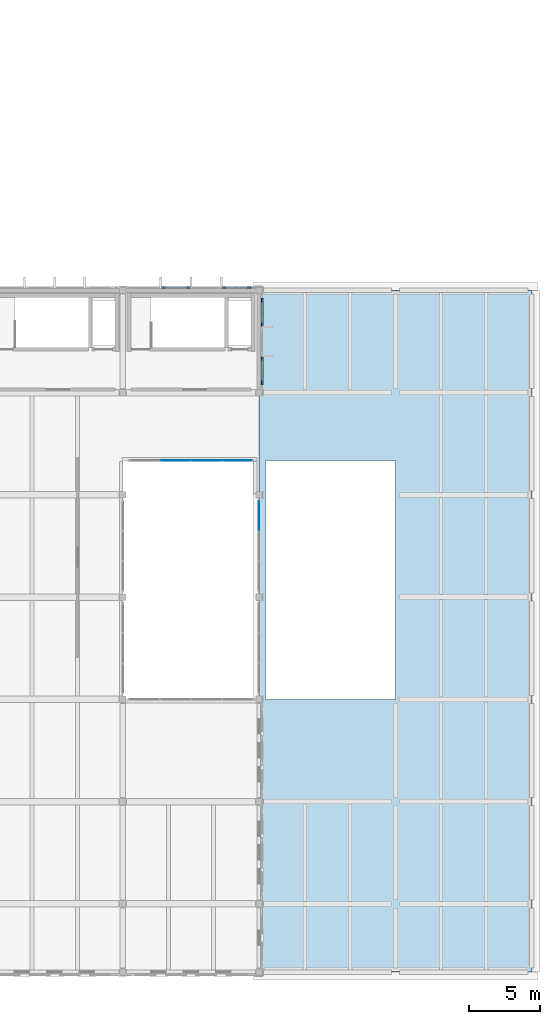
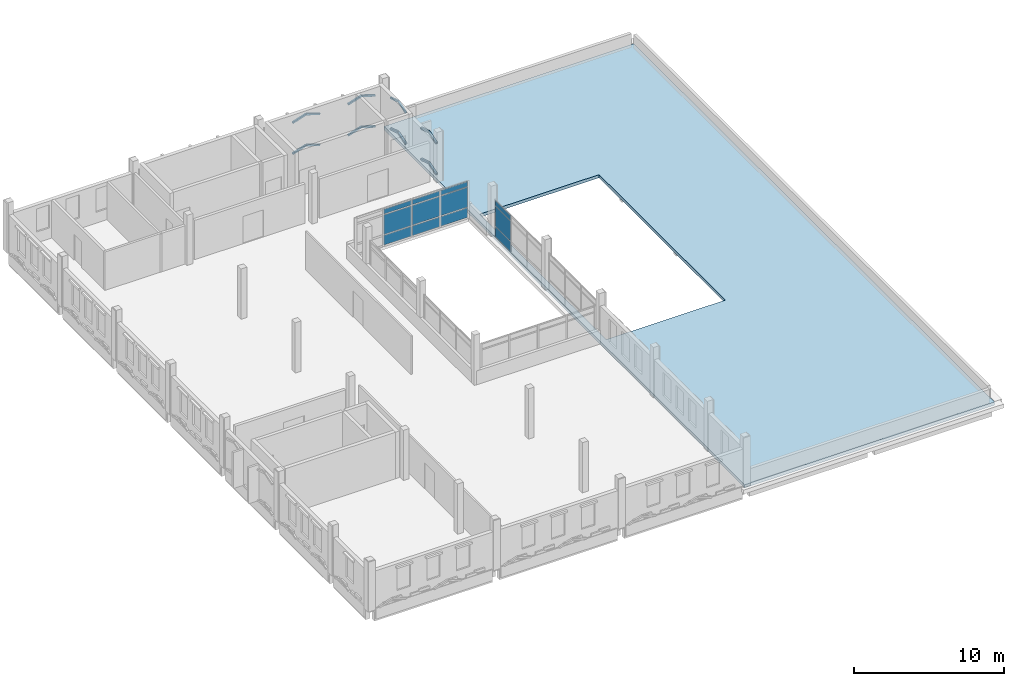
# One storey, part 33 of 50: 28 plates, 1 slab, 2 elements without a shape of their own.
"""IFC4 building model written with IfcOpenShell, lengths in metres."""

from ifc_helpers import new_model, si_unit, direction, frame, origin, origin_2d, place, context, subcontext, project, spatial, polyline, rectangle, hollow_rectangle, outline, extrude, material, layer, layer_set, material_profile, profile_set, type_object, element, aggregate, save


model = new_model("IFC4")

# Units and contexts
model_context = context("Model", 3, precision=1e-05, world=origin(), true_north=direction((0.0, 1.0)))
body_context = subcontext(model_context, "Body", "Model", "MODEL_VIEW")
ifc_project = project(units=[si_unit("LENGTHUNIT", "METRE"), si_unit("AREAUNIT", "SQUARE_METRE"), si_unit("VOLUMEUNIT", "CUBIC_METRE"), si_unit("PLANEANGLEUNIT", "RADIAN"), si_unit("MASSUNIT", "GRAM", prefix="KILO")], contexts=[model_context])

# Site, building, storey
site_placement = place(None, origin())
site = spatial("IfcSite", under=ifc_project, at=site_placement, CompositionType="ELEMENT")
building_placement = place(site_placement, origin())
building = spatial("IfcBuilding", under=site, at=building_placement, Name="Asteropetra Specialist Clinic", CompositionType="ELEMENT")
storey_placement = place(building_placement, frame((0.0, 0.0, 16.659912109375)))
storey = spatial("IfcBuildingStorey", under=building, at=storey_placement, Name="L04", CompositionType="ELEMENT", Elevation=16.659912109375)

# Plates
ifc_material_1 = material(Name="Chevron emerald aluminium 6063-T6", Category="aluminium")
ifc_material_profile = material_profile(ifc_material_1, hollow_rectangle(XDim=0.139892578125, YDim=0.139892578125, WallThickness=0.008056640625, InnerFilletRadius=0.008056640625, OuterFilletRadius=0.01611328125, at=origin_2d()), Name="SHS 140x140x8.0")
ifc_profile_set = profile_set([ifc_material_profile], Name="Chevron emerald aluminium 6063-T6")
plate_type_1 = type_object("IfcPlateType", Name="CHV-RIB-140", PredefinedType="SHEET", material=ifc_profile_set)
for number, where, z_axis, x_axis, name in (
    (1, (133.8349609375, 48.20947265625, 0.080078125), (-0.952035512318, 0.0, 0.305987554135), (0.0, -1.0, 0.0), "Chevron Facade Screen Fin CVR-3558"),
    (2, (132.791259765625, 48.20947265625, 0.41552734375), (-0.952035512318, 0.0, -0.305987554135), (0.0, -1.0, 0.0), "Chevron Facade Screen Fin CVR-3559"),
    (3, (133.8349609375, 48.20947265625, 2.60009765625), (-0.952035512318, 0.0, 0.305987554135), (0.0, -1.0, 0.0), "Chevron Facade Screen Fin CVR-3560"),
    (4, (132.791259765625, 48.20947265625, 2.935546875), (-0.952035512318, 0.0, -0.305987554135), (0.0, -1.0, 0.0), "Chevron Facade Screen Fin CVR-3561"),
):
    element("IfcPlate", number, at=place(storey_placement, frame(where, z_axis=z_axis, x_axis=x_axis)), inside=storey, type_object=plate_type_1, Name=name, PredefinedType="SHEET", context=body_context, shape_type="SweptSolid", body=[
        extrude(hollow_rectangle(XDim=0.139892578125, YDim=0.139892578125, WallThickness=0.008056640625, InnerFilletRadius=0.008056640625, OuterFilletRadius=0.01611328125, at=origin_2d()), origin(), (0.0, 0.0, 1.0), 1.09619140625),
    ])
plate_1_placement = place(storey_placement, frame((129.580078125, 48.20947265625, 0.080078125), z_axis=(-0.952056356577, 0.0, 0.305922692689), x_axis=(0.0, -1.0, 0.0)))
element("IfcPlate", 5, at=plate_1_placement, inside=storey, type_object=plate_type_1, Name="Chevron Facade Screen Fin CVR-3562", PredefinedType="SHEET", context=body_context, shape_type="SweptSolid", body=[
    extrude(hollow_rectangle(XDim=0.139892578125, YDim=0.139892578125, WallThickness=0.008056640625, InnerFilletRadius=0.008056640625, OuterFilletRadius=0.01611328125, at=origin_2d()), origin(), (0.0, 0.0, 1.0), 1.096435546875),
])
plate_2_placement = place(storey_placement, frame((128.5361328125, 48.20947265625, 0.41552734375), z_axis=(-0.952035512318, 0.0, -0.305987554135), x_axis=(0.0, -1.0, 0.0)))
element("IfcPlate", 6, at=plate_2_placement, inside=storey, type_object=plate_type_1, Name="Chevron Facade Screen Fin CVR-3563", PredefinedType="SHEET", context=body_context, shape_type="SweptSolid", body=[
    extrude(hollow_rectangle(XDim=0.139892578125, YDim=0.139892578125, WallThickness=0.008056640625, InnerFilletRadius=0.008056640625, OuterFilletRadius=0.01611328125, at=origin_2d()), origin(), (0.0, 0.0, 1.0), 1.09619140625),
])
plate_3_placement = place(storey_placement, frame((129.580078125, 48.20947265625, 2.60009765625), z_axis=(-0.952056356577, 0.0, 0.305922692689), x_axis=(0.0, -1.0, 0.0)))
element("IfcPlate", 7, at=plate_3_placement, inside=storey, type_object=plate_type_1, Name="Chevron Facade Screen Fin CVR-3564", PredefinedType="SHEET", context=body_context, shape_type="SweptSolid", body=[
    extrude(hollow_rectangle(XDim=0.139892578125, YDim=0.139892578125, WallThickness=0.008056640625, InnerFilletRadius=0.008056640625, OuterFilletRadius=0.01611328125, at=origin_2d()), origin(), (0.0, 0.0, 1.0), 1.096435546875),
])
plate_4_placement = place(storey_placement, frame((128.5361328125, 48.20947265625, 2.935546875), z_axis=(-0.952035512318, 0.0, -0.305987554135), x_axis=(0.0, -1.0, 0.0)))
element("IfcPlate", 8, at=plate_4_placement, inside=storey, type_object=plate_type_1, Name="Chevron Facade Screen Fin CVR-3565", PredefinedType="SHEET", context=body_context, shape_type="SweptSolid", body=[
    extrude(hollow_rectangle(XDim=0.139892578125, YDim=0.139892578125, WallThickness=0.008056640625, InnerFilletRadius=0.008056640625, OuterFilletRadius=0.01611328125, at=origin_2d()), origin(), (0.0, 0.0, 1.0), 1.09619140625),
])
plate_5_placement = place(storey_placement, frame((134.609619140625, 41.364990234375, 0.080078125), z_axis=(0.0, 0.951982525722, 0.306152365205), x_axis=(-1.0, 0.0, 0.0)))
element("IfcPlate", 9, at=plate_5_placement, inside=storey, type_object=plate_type_1, Name="Chevron Facade Screen Fin CVR-3606", PredefinedType="SHEET", context=body_context, shape_type="SweptSolid", body=[
    extrude(hollow_rectangle(XDim=0.139892578125, YDim=0.139892578125, WallThickness=0.008056640625, InnerFilletRadius=0.008056640625, OuterFilletRadius=0.01611328125, at=origin_2d()), origin(), (0.0, 0.0, 1.0), 1.048583984375),
])
plate_6_placement = place(storey_placement, frame((134.609619140625, 42.36328125, 0.401123046875), z_axis=(0.0, 0.952004340095, -0.306084524994), x_axis=(-1.0, 0.0, 0.0)))
element("IfcPlate", 10, at=plate_6_placement, inside=storey, type_object=plate_type_1, Name="Chevron Facade Screen Fin CVR-3607", PredefinedType="SHEET", context=body_context, shape_type="SweptSolid", body=[
    extrude(hollow_rectangle(XDim=0.139892578125, YDim=0.139892578125, WallThickness=0.008056640625, InnerFilletRadius=0.008056640625, OuterFilletRadius=0.01611328125, at=origin_2d()), origin(), (0.0, 0.0, 1.0), 1.048828125),
])
plate_7_placement = place(storey_placement, frame((134.609619140625, 41.364990234375, 2.60009765625), z_axis=(0.0, 0.951982525722, 0.306152365205), x_axis=(-1.0, 0.0, 0.0)))
element("IfcPlate", 11, at=plate_7_placement, inside=storey, type_object=plate_type_1, Name="Chevron Facade Screen Fin CVR-3608", PredefinedType="SHEET", context=body_context, shape_type="SweptSolid", body=[
    extrude(hollow_rectangle(XDim=0.139892578125, YDim=0.139892578125, WallThickness=0.008056640625, InnerFilletRadius=0.008056640625, OuterFilletRadius=0.01611328125, at=origin_2d()), origin(), (0.0, 0.0, 1.0), 1.048583984375),
])
for number, where, z_axis, x_axis, name in (
    (12, (134.609619140625, 42.36328125, 2.921142578125), (0.0, 0.952004340095, -0.306084524994), (-1.0, 0.0, 0.0), "Chevron Facade Screen Fin CVR-3609"),
    (13, (134.609619140625, 45.438232421875, 0.080078125), (0.0, 0.952004340095, 0.306084524994), (-1.0, 0.0, 0.0), "Chevron Facade Screen Fin CVR-3610"),
):
    element("IfcPlate", number, at=place(storey_placement, frame(where, z_axis=z_axis, x_axis=x_axis)), inside=storey, type_object=plate_type_1, Name=name, PredefinedType="SHEET", context=body_context, shape_type="SweptSolid", body=[
        extrude(hollow_rectangle(XDim=0.139892578125, YDim=0.139892578125, WallThickness=0.008056640625, InnerFilletRadius=0.008056640625, OuterFilletRadius=0.01611328125, at=origin_2d()), origin(), (0.0, 0.0, 1.0), 1.048828125),
    ])
plate_8_placement = place(storey_placement, frame((134.609619140625, 46.436767578125, 0.401123046875), z_axis=(0.0, 0.951982525722, -0.306152365205), x_axis=(-1.0, 0.0, 0.0)))
element("IfcPlate", 14, at=plate_8_placement, inside=storey, type_object=plate_type_1, Name="Chevron Facade Screen Fin CVR-3611", PredefinedType="SHEET", context=body_context, shape_type="SweptSolid", body=[
    extrude(hollow_rectangle(XDim=0.139892578125, YDim=0.139892578125, WallThickness=0.008056640625, InnerFilletRadius=0.008056640625, OuterFilletRadius=0.01611328125, at=origin_2d()), origin(), (0.0, 0.0, 1.0), 1.048583984375),
])
plate_9_placement = place(storey_placement, frame((134.609619140625, 45.438232421875, 2.60009765625), z_axis=(0.0, 0.952004340095, 0.306084524994), x_axis=(-1.0, 0.0, 0.0)))
element("IfcPlate", 15, at=plate_9_placement, inside=storey, type_object=plate_type_1, Name="Chevron Facade Screen Fin CVR-3612", PredefinedType="SHEET", context=body_context, shape_type="SweptSolid", body=[
    extrude(hollow_rectangle(XDim=0.139892578125, YDim=0.139892578125, WallThickness=0.008056640625, InnerFilletRadius=0.008056640625, OuterFilletRadius=0.01611328125, at=origin_2d()), origin(), (0.0, 0.0, 1.0), 1.048828125),
])
plate_10_placement = place(storey_placement, frame((134.609619140625, 46.436767578125, 2.921142578125), z_axis=(0.0, 0.951982525722, -0.306152365205), x_axis=(-1.0, 0.0, 0.0)))
element("IfcPlate", 16, at=plate_10_placement, inside=storey, type_object=plate_type_1, Name="Chevron Facade Screen Fin CVR-3613", PredefinedType="SHEET", context=body_context, shape_type="SweptSolid", body=[
    extrude(hollow_rectangle(XDim=0.139892578125, YDim=0.139892578125, WallThickness=0.008056640625, InnerFilletRadius=0.008056640625, OuterFilletRadius=0.01611328125, at=origin_2d()), origin(), (0.0, 0.0, 1.0), 1.048583984375),
])

# Curtain wall, plates
ifc_material_2 = material(Name="Aluminium and low-E glass", Category="aluminium")
ifc_layer_1 = layer(ifc_material_2, 0.135009765625)
ifc_layer_set_1 = layer_set([ifc_layer_1], Name="Aluminium and low-E glass")
curtain_wall_type_1 = type_object("IfcCurtainWallType", Name="CW-SYS-09", PredefinedType="USERDEFINED", material=ifc_layer_set_1)
curtain_wall_1_placement = place(storey_placement, origin())
curtain_wall_1 = element("IfcCurtainWall", 17, at=curtain_wall_1_placement, inside=storey, type_object=curtain_wall_type_1, Name="Curtain Wall CW-090", ObjectType="STICK GLAZED COLONNADE", PredefinedType="USERDEFINED")
ifc_material_3 = material(Name="Solar-control triple glazing", Category="glass")
ifc_layer_2 = layer(ifc_material_3, 0.035888671875)
ifc_layer_set_2 = layer_set([ifc_layer_2], Name="Solar-control triple glazing")
plate_type_2 = type_object("IfcPlateType", Name="CWP-GLZ-36", PredefinedType="CURTAIN_PANEL", material=ifc_layer_set_2)
plate_11_placement = place(storey_placement, frame((132.851318359375, 36.0, 0.074951171875), z_axis=(0.0, 0.0, 1.0), x_axis=(-1.0, 0.0, 0.0)))
plate_11 = element("IfcPlate", 18, at=plate_11_placement, type_object=plate_type_2, Name="CW-090 panel 1.1", PredefinedType="CURTAIN_PANEL", context=body_context, shape_type="SweptSolid", body=[
    extrude(rectangle(XDim=2.0673828125, YDim=0.035888671875, at=origin_2d()), origin(), (0.0, 0.0, 1.0), 0.78759765625),
])
plate_12_placement = place(storey_placement, frame((132.851318359375, 36.0, 0.9375), z_axis=(0.0, 0.0, 1.0), x_axis=(-1.0, 0.0, 0.0)))
plate_12 = element("IfcPlate", 19, at=plate_12_placement, type_object=plate_type_2, Name="CW-090 panel 1.2", PredefinedType="CURTAIN_PANEL", context=body_context, shape_type="SweptSolid", body=[
    extrude(rectangle(XDim=2.0673828125, YDim=0.035888671875, at=origin_2d()), origin(), (0.0, 0.0, 1.0), 1.5849609375),
])
plate_13_placement = place(storey_placement, frame((132.851318359375, 36.0, 2.59765625), z_axis=(0.0, 0.0, 1.0), x_axis=(-1.0, 0.0, 0.0)))
plate_13 = element("IfcPlate", 20, at=plate_13_placement, type_object=plate_type_2, Name="CW-090 panel 1.3", PredefinedType="CURTAIN_PANEL", context=body_context, shape_type="SweptSolid", body=[
    extrude(rectangle(XDim=2.0673828125, YDim=0.035888671875, at=origin_2d()), origin(), (0.0, 0.0, 1.0), 0.387451171875),
])
plate_14_placement = place(storey_placement, frame((130.68994140625, 36.0, 0.074951171875), z_axis=(0.0, 0.0, 1.0), x_axis=(-1.0, 0.0, 0.0)))
plate_14 = element("IfcPlate", 21, at=plate_14_placement, type_object=plate_type_2, Name="CW-090 panel 2.1", PredefinedType="CURTAIN_PANEL", context=body_context, shape_type="SweptSolid", body=[
    extrude(rectangle(XDim=2.10498046875, YDim=0.035888671875, at=origin_2d()), origin(), (0.0, 0.0, 1.0), 0.78759765625),
])
plate_15_placement = place(storey_placement, frame((130.68994140625, 36.0, 0.9375), z_axis=(0.0, 0.0, 1.0), x_axis=(-1.0, 0.0, 0.0)))
plate_15 = element("IfcPlate", 22, at=plate_15_placement, type_object=plate_type_2, Name="CW-090 panel 2.2", PredefinedType="CURTAIN_PANEL", context=body_context, shape_type="SweptSolid", body=[
    extrude(rectangle(XDim=2.10498046875, YDim=0.035888671875, at=origin_2d()), origin(), (0.0, 0.0, 1.0), 1.5849609375),
])
plate_16_placement = place(storey_placement, frame((130.68994140625, 36.0, 2.59765625), z_axis=(0.0, 0.0, 1.0), x_axis=(-1.0, 0.0, 0.0)))
plate_16 = element("IfcPlate", 23, at=plate_16_placement, type_object=plate_type_2, Name="CW-090 panel 2.3", PredefinedType="CURTAIN_PANEL", context=body_context, shape_type="SweptSolid", body=[
    extrude(rectangle(XDim=2.10498046875, YDim=0.035888671875, at=origin_2d()), origin(), (0.0, 0.0, 1.0), 0.387451171875),
])
plate_17_placement = place(storey_placement, frame((128.510009765625, 36.0, 0.074951171875), z_axis=(0.0, 0.0, 1.0), x_axis=(-1.0, 0.0, 0.0)))
plate_17 = element("IfcPlate", 24, at=plate_17_placement, type_object=plate_type_2, Name="CW-090 panel 3.1", PredefinedType="CURTAIN_PANEL", context=body_context, shape_type="SweptSolid", body=[
    extrude(rectangle(XDim=2.10498046875, YDim=0.035888671875, at=origin_2d()), origin(), (0.0, 0.0, 1.0), 0.78759765625),
])
plate_18_placement = place(storey_placement, frame((128.510009765625, 36.0, 0.9375), z_axis=(0.0, 0.0, 1.0), x_axis=(-1.0, 0.0, 0.0)))
plate_18 = element("IfcPlate", 25, at=plate_18_placement, type_object=plate_type_2, Name="CW-090 panel 3.2", PredefinedType="CURTAIN_PANEL", context=body_context, shape_type="SweptSolid", body=[
    extrude(rectangle(XDim=2.10498046875, YDim=0.035888671875, at=origin_2d()), origin(), (0.0, 0.0, 1.0), 1.5849609375),
])
plate_19_placement = place(storey_placement, frame((128.510009765625, 36.0, 2.59765625), z_axis=(0.0, 0.0, 1.0), x_axis=(-1.0, 0.0, 0.0)))
plate_19 = element("IfcPlate", 26, at=plate_19_placement, type_object=plate_type_2, Name="CW-090 panel 3.3", PredefinedType="CURTAIN_PANEL", context=body_context, shape_type="SweptSolid", body=[
    extrude(rectangle(XDim=2.10498046875, YDim=0.035888671875, at=origin_2d()), origin(), (0.0, 0.0, 1.0), 0.387451171875),
])
aggregate(curtain_wall_1, [plate_11, plate_12, plate_13, plate_14, plate_15, plate_16, plate_17, plate_18, plate_19])

ifc_material_4 = material(Name="Aluminium and low-E glass", Category="aluminium")
ifc_layer_3 = layer(ifc_material_4, 0.135009765625)
ifc_layer_set_3 = layer_set([ifc_layer_3], Name="Aluminium and low-E glass")
curtain_wall_type_2 = type_object("IfcCurtainWallType", Name="CW-SYS-12", PredefinedType="USERDEFINED", material=ifc_layer_set_3)
curtain_wall_2_placement = place(storey_placement, origin())
curtain_wall_2 = element("IfcCurtainWall", 27, at=curtain_wall_2_placement, inside=storey, type_object=curtain_wall_type_2, Name="Curtain Wall CW-094", ObjectType="STICK GLAZED COLONNADE", PredefinedType="USERDEFINED")
plate_20_placement = place(storey_placement, frame((134.39990234375, 32.127197265625, 0.06494140625), z_axis=(0.0, 0.0, 1.0), x_axis=(0.0, 1.0, 0.0)))
plate_20 = element("IfcPlate", 28, at=plate_20_placement, type_object=plate_type_2, Name="CW-094 panel 3.1", PredefinedType="CURTAIN_PANEL", context=body_context, shape_type="SweptSolid", body=[
    extrude(rectangle(XDim=2.0458984375, YDim=0.035888671875, at=origin_2d()), origin(), (0.0, 0.0, 1.0), 0.802490234375),
])
plate_21_placement = place(storey_placement, frame((134.39990234375, 32.127197265625, 0.9326171875), z_axis=(0.0, 0.0, 1.0), x_axis=(0.0, 1.0, 0.0)))
plate_21 = element("IfcPlate", 29, at=plate_21_placement, type_object=plate_type_2, Name="CW-094 panel 3.2", PredefinedType="CURTAIN_PANEL", context=body_context, shape_type="SweptSolid", body=[
    extrude(rectangle(XDim=2.0458984375, YDim=0.035888671875, at=origin_2d()), origin(), (0.0, 0.0, 1.0), 1.594970703125),
])
plate_22_placement = place(storey_placement, frame((134.39990234375, 32.127197265625, 2.5927734375), z_axis=(0.0, 0.0, 1.0), x_axis=(0.0, 1.0, 0.0)))
plate_22 = element("IfcPlate", 30, at=plate_22_placement, type_object=plate_type_2, Name="CW-094 panel 3.3", PredefinedType="CURTAIN_PANEL", context=body_context, shape_type="SweptSolid", body=[
    extrude(rectangle(XDim=2.0458984375, YDim=0.035888671875, at=origin_2d()), origin(), (0.0, 0.0, 1.0), 0.402587890625),
])
aggregate(curtain_wall_2, [plate_20, plate_21, plate_22])

# Slab
ifc_material_5 = material(Name="Concrete C35/45", Category="concrete")
ifc_layer_4 = layer(ifc_material_5, 0.25)
ifc_layer_set_4 = layer_set([ifc_layer_4], Name="Concrete C35/45")
slab_type = type_object("IfcSlabType", Name="SLB-ROOF-250", PredefinedType="ROOF", material=ifc_layer_set_4)
slab_placement = place(storey_placement, frame((0.0, 0.0, -0.25)))
element("IfcSlab", 31, at=slab_placement, inside=storey, type_object=slab_type, Name="Slab V6-E-HIGH-ROOF L04", PredefinedType="ROOF", context=body_context, shape_type="SweptSolid", body=[
    extrude(outline(polyline([(134.39990234375, 0.0), (153.60009765625, 0.0), (153.60009765625, 48.0), (134.39990234375, 48.0), (134.39990234375, 0.0)]), holes=[polyline([(134.85009765625, 19.199951171875), (144.0, 19.199951171875), (144.0, 36.0), (134.85009765625, 36.0), (134.85009765625, 19.199951171875)])]), origin(), (0.0, 0.0, 1.0), 0.25),
])

save(model, "model.ifc")
